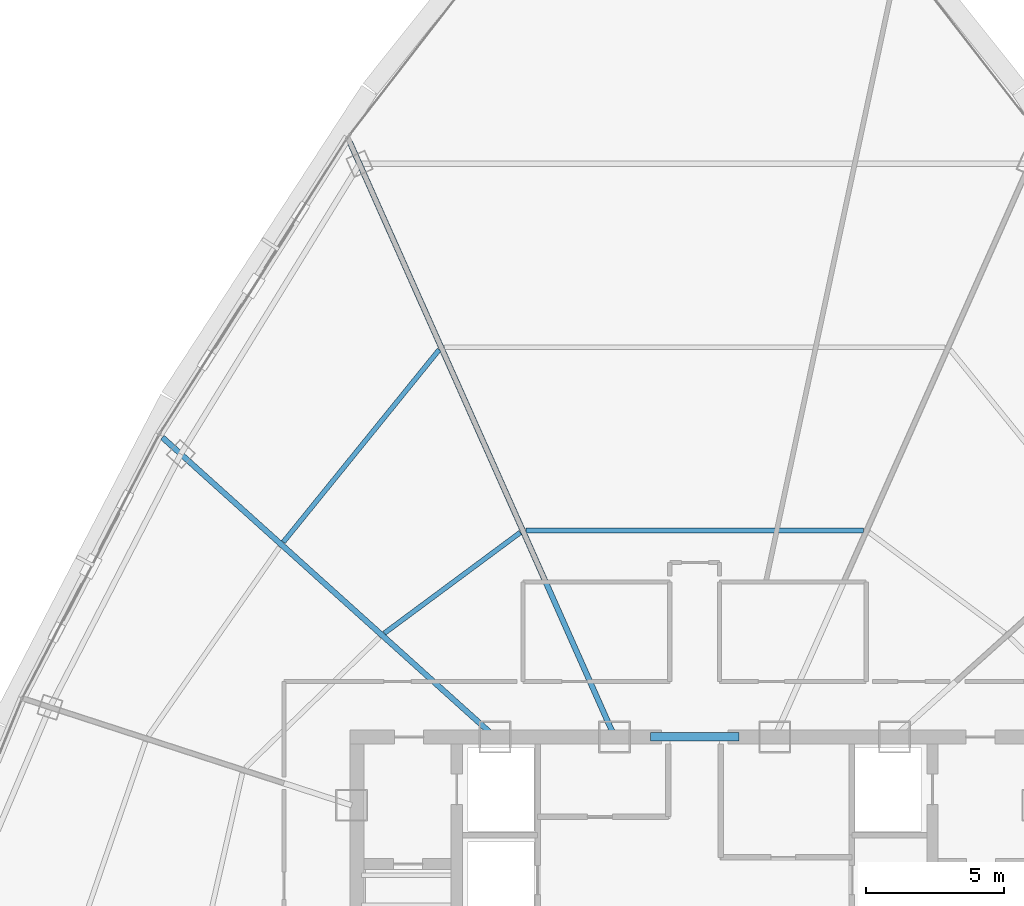
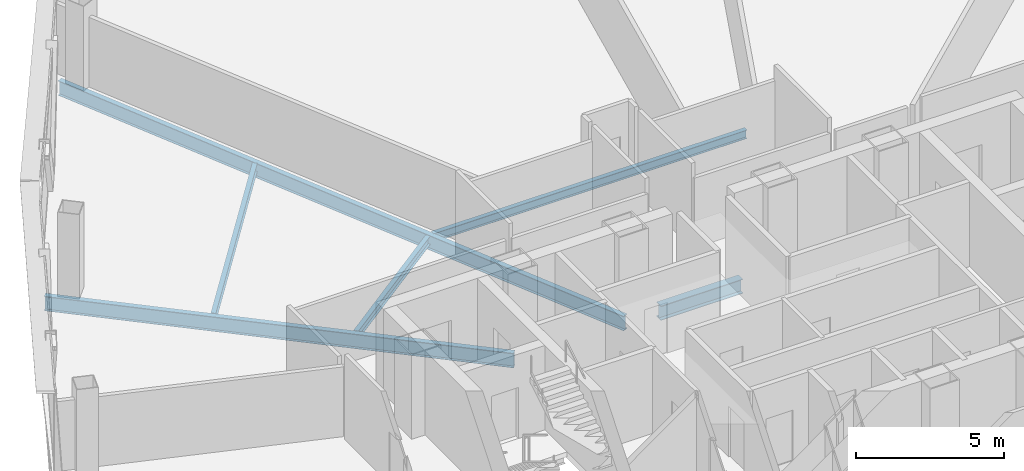
# One storey, part 11 of 33: 6 beams.
"""IFC4 building model written with IfcOpenShell, lengths in metres."""

from ifc_helpers import new_model, si_unit, direction, frame, origin, origin_2d, place, context, subcontext, project, spatial, i_section, extrude, source, transform, mapped, material, material_profile, profile_set, type_object, element, save


model = new_model("IFC4")

# Units and contexts
model_context = context("Model", 3, precision=1e-05, world=origin(), true_north=direction((0.0, 1.0)))
body_context = subcontext(model_context, "Body", "Model", "MODEL_VIEW")
ifc_project = project(units=[si_unit("LENGTHUNIT", "METRE"), si_unit("AREAUNIT", "SQUARE_METRE"), si_unit("VOLUMEUNIT", "CUBIC_METRE"), si_unit("PLANEANGLEUNIT", "RADIAN"), si_unit("MASSUNIT", "GRAM", prefix="KILO"), si_unit("THERMODYNAMICTEMPERATUREUNIT", "KELVIN"), si_unit("POWERUNIT", "WATT")], contexts=[model_context])

# Site, building, storey
site_placement = place(None, origin())
site = spatial("IfcSite", under=ifc_project, at=site_placement, CompositionType="ELEMENT")
building_placement = place(site_placement, origin())
building = spatial("IfcBuilding", under=site, at=building_placement, Name="Yunzhuo Pagoda Commons", CompositionType="ELEMENT")
storey_placement = place(building_placement, frame((0.0, 0.0, 311.1298828125)))
storey = spatial("IfcBuildingStorey", under=building, at=storey_placement, Name="L78", CompositionType="ELEMENT", Elevation=311.1298828125)

# Beams
ifc_material_1 = material(Name="Structural steel Q420B", Category="steel")
ifc_material_profile_1 = material_profile(ifc_material_1, i_section(OverallWidth=0.300048828125, OverallDepth=0.587890625, WebThickness=0.011962890625, FlangeThickness=0.02001953125, at=origin_2d()), Name="Structural steel Q420B")
ifc_profile_set_1 = profile_set([ifc_material_profile_1], Name="Structural steel Q420B")
beam_type_1 = type_object("IfcBeamType", Name="B-CPL Beam HM 588x300x12x20", PredefinedType="BEAM", material=ifc_profile_set_1)
shared_shape_1 = source(origin(), body_context, "Body", "SweptSolid", [
    extrude(i_section(OverallWidth=0.300048828125, OverallDepth=0.587890625, WebThickness=0.011962890625, FlangeThickness=0.02001953125, at=origin_2d()), origin(), (0.0, 0.0, 1.0), 3.2001953125),
])
beam_1_placement = place(storey_placement, frame((46.39990234375, 40.199951171875, -0.553955078125), z_axis=(1.0, 0.0, 0.0), x_axis=(0.0, 1.0, 0.0)))
element("IfcBeam", 1, at=beam_1_placement, inside=storey, type_object=beam_type_1, Name="L78 core coupling girder", PredefinedType="BEAM", context=body_context, shape_type="MappedRepresentation", body=[
    mapped(shared_shape_1, transform((0.0, 0.0, 0.0), scale=1.0)),
])
ifc_material_2 = material(Name="Structural steel Q355B", Category="steel")
ifc_material_profile_2 = material_profile(ifc_material_2, i_section(OverallWidth=0.175048828125, OverallDepth=0.35009765625, WebThickness=0.007080078125, FlangeThickness=0.010986328125, at=origin_2d()), Name="Structural steel Q355B")
ifc_profile_set_2 = profile_set([ifc_material_profile_2], Name="Structural steel Q355B")
beam_type_2 = type_object("IfcBeamType", Name="B-JS2 Joist HN 350x175x7x11", PredefinedType="JOIST", material=ifc_profile_set_2)
shared_shape_2 = source(origin(), body_context, "Body", "SweptSolid", [
    extrude(i_section(OverallWidth=0.175048828125, OverallDepth=0.35009765625, WebThickness=0.007080078125, FlangeThickness=0.010986328125, at=origin_2d()), origin(), (0.0, 0.0, 1.0), 6.109619140625),
])
beam_2_placement = place(storey_placement, frame((41.6943359375, 47.5869140625, -0.434814453125), z_axis=(-0.803396474468, -0.595444459888, 0.0), x_axis=(0.595444459888, -0.803396474468, 0.0)))
element("IfcBeam", 2, at=beam_2_placement, inside=storey, type_object=beam_type_2, Name="L78 composite ring joist 1.9", PredefinedType="JOIST", context=body_context, shape_type="MappedRepresentation", body=[
    mapped(shared_shape_2, transform((0.0, 0.0, 0.0), scale=1.0)),
])
shared_shape_3 = source(origin(), body_context, "Body", "SweptSolid", [
    extrude(i_section(OverallWidth=0.175048828125, OverallDepth=0.35009765625, WebThickness=0.007080078125, FlangeThickness=0.010986328125, at=origin_2d()), origin(), (0.0, 0.0, 1.0), 8.9462890625),
])
beam_3_placement = place(storey_placement, frame((38.763916015625, 54.19287109375, -0.434814453125), z_axis=(-0.629455685791, -0.777036382434, 0.0), x_axis=(0.777036382434, -0.629455685791, 0.0)))
element("IfcBeam", 3, at=beam_3_placement, inside=storey, type_object=beam_type_2, Name="L78 composite ring joist 2.9", PredefinedType="JOIST", context=body_context, shape_type="MappedRepresentation", body=[
    mapped(shared_shape_3, transform((0.0, 0.0, 0.0), scale=1.0)),
])
shared_shape_4 = source(origin(), body_context, "Body", "SweptSolid", [
    extrude(i_section(OverallWidth=0.175048828125, OverallDepth=0.35009765625, WebThickness=0.007080078125, FlangeThickness=0.010986328125, at=origin_2d()), origin(), (0.0, 0.0, 1.0), 12.19677734375),
])
beam_4_placement = place(storey_placement, frame((54.098388671875, 47.6552734375, -0.434814453125), z_axis=(-1.0, 0.0, 0.0), x_axis=(0.0, -1.0, 0.0)))
element("IfcBeam", 4, at=beam_4_placement, inside=storey, type_object=beam_type_2, Name="L78 composite ring joist 1.8", PredefinedType="JOIST", context=body_context, shape_type="MappedRepresentation", body=[
    mapped(shared_shape_4, transform((0.0, 0.0, 0.0), scale=1.0)),
])
ifc_material_profile_3 = material_profile(ifc_material_2, i_section(OverallWidth=0.199951171875, OverallDepth=0.60009765625, WebThickness=0.010986328125, FlangeThickness=0.01708984375, at=origin_2d()), Name="Structural steel Q355B")
ifc_profile_set_3 = profile_set([ifc_material_profile_3], Name="Structural steel Q355B")
beam_type_3 = type_object("IfcBeamType", Name="B-RG3 Beam HN 600x200x11x17", PredefinedType="BEAM", material=ifc_profile_set_3)
shared_shape_5 = source(origin(), body_context, "Body", "SweptSolid", [
    extrude(i_section(OverallWidth=0.199951171875, OverallDepth=0.60009765625, WebThickness=0.010986328125, FlangeThickness=0.01708984375, at=origin_2d()), origin(), (0.0, 0.0, 1.0), 16.173583984375),
])
beam_5_placement = place(storey_placement, frame((28.76171875, 51.022216796875, -0.559814453125), z_axis=(0.743143260476, -0.669132344465, 0.0), x_axis=(0.669132344465, 0.743143260476, 0.0)))
element("IfcBeam", 5, at=beam_5_placement, inside=storey, type_object=beam_type_3, Name="L78 radial floor girder F3C2", PredefinedType="BEAM", context=body_context, shape_type="MappedRepresentation", body=[
    mapped(shared_shape_5, transform((0.0, 0.0, 0.0), scale=1.0)),
])
shared_shape_6 = source(origin(), body_context, "Body", "SweptSolid", [
    extrude(i_section(OverallWidth=0.199951171875, OverallDepth=0.60009765625, WebThickness=0.010986328125, FlangeThickness=0.01708984375, at=origin_2d()), origin(), (0.0, 0.0, 1.0), 23.564208984375),
])
beam_6_placement = place(storey_placement, frame((35.521484375, 61.726806640625, -0.559814453125), z_axis=(0.406740152773, -0.913543895017, 0.0), x_axis=(0.913543895017, 0.406740152773, 0.0)))
element("IfcBeam", 6, at=beam_6_placement, inside=storey, type_object=beam_type_3, Name="L78 radial floor girder F3C1", PredefinedType="BEAM", context=body_context, shape_type="MappedRepresentation", body=[
    mapped(shared_shape_6, transform((0.0, 0.0, 0.0), scale=1.0)),
])

save(model, "model.ifc")
